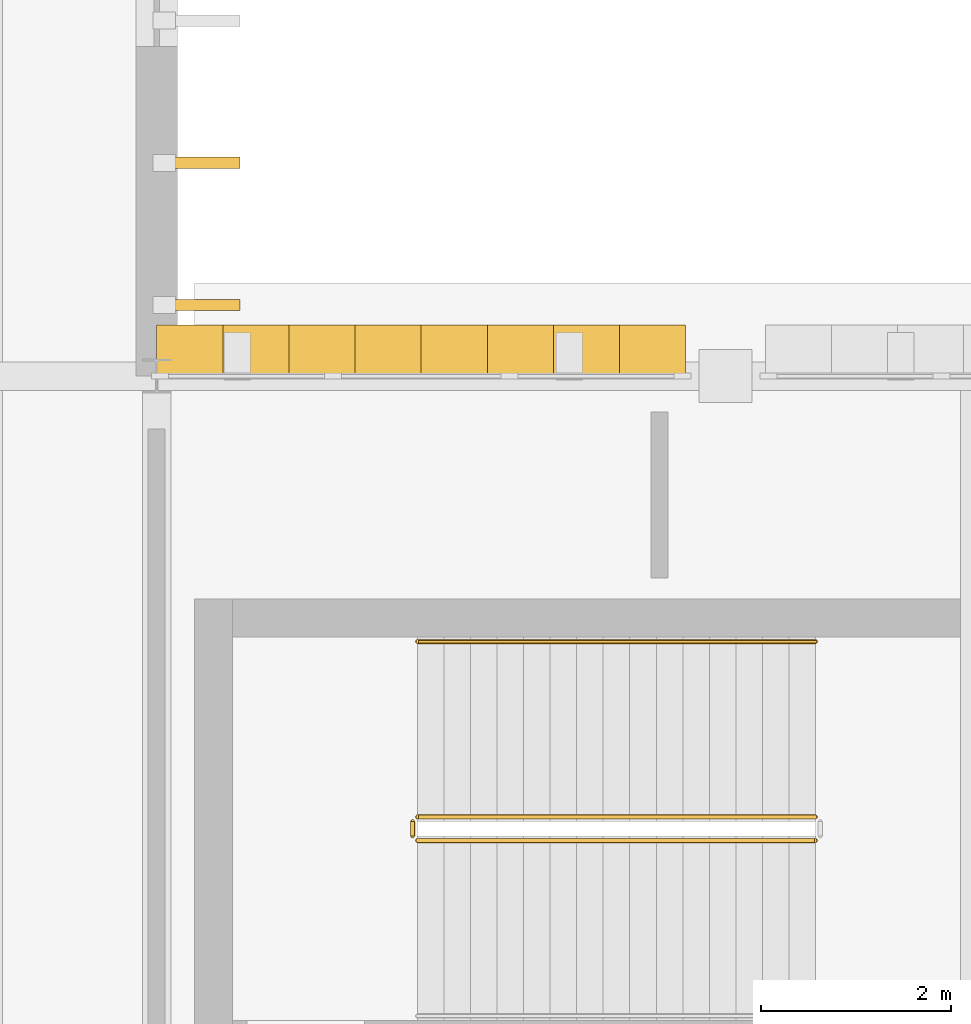
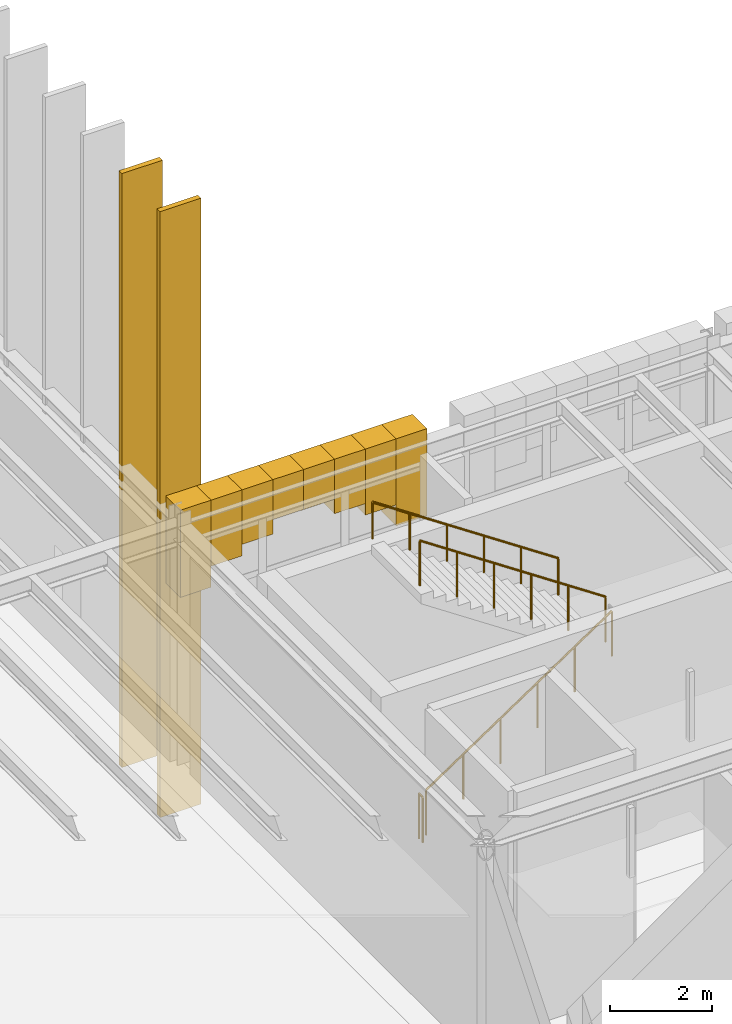
# One storey, part 71 of 83: 10 coverings, 4 railings.
"""IFC4 building model written with IfcOpenShell, lengths in metres."""

from ifc_helpers import new_model, si_unit, direction, frame, origin, origin_2d, place, context, subcontext, project, spatial, polyline, circle, outline, extrude, material, layer, layer_set, type_object, element, save


model = new_model("IFC4")

# Units and contexts
model_context = context("Model", 3, precision=1e-05, world=origin(), true_north=direction((0.0, 1.0)))
body_context = subcontext(model_context, "Body", "Model", "MODEL_VIEW")
ifc_project = project(units=[si_unit("LENGTHUNIT", "METRE"), si_unit("AREAUNIT", "SQUARE_METRE"), si_unit("VOLUMEUNIT", "CUBIC_METRE"), si_unit("PLANEANGLEUNIT", "RADIAN"), si_unit("MASSUNIT", "GRAM", prefix="KILO")], contexts=[model_context])

# Site, building, storey
site_placement = place(None, origin())
site = spatial("IfcSite", under=ifc_project, at=site_placement, CompositionType="ELEMENT")
building_placement = place(site_placement, origin())
building = spatial("IfcBuilding", under=site, at=building_placement, Name="Zlatogorsky Bluff Art Gallery", CompositionType="ELEMENT")
storey_placement = place(building_placement, frame((0.0, 0.0, 10.800048828125)))
storey = spatial("IfcBuildingStorey", under=building, at=storey_placement, Name="L02", CompositionType="ELEMENT", Elevation=10.800048828125)

# Coverings
ifc_material_1 = material(Name="Honed Red Agra-Tone Quartzitic Sandstone", Category="masonry")
ifc_layer_1 = layer(ifc_material_1, 0.1201171875)
ifc_layer_set_1 = layer_set([ifc_layer_1], Name="Carved Sandstone Cladding CLD-02")
covering_type_1 = type_object("IfcCoveringType", Name="Carved Sandstone Cladding CLD-02", PredefinedType="CLADDING", material=ifc_layer_set_1)
covering_1_placement = place(storey_placement, frame((0.0, 0.0, 3.877685546875)))
element("IfcCovering", 1, at=covering_1_placement, inside=storey, type_object=covering_type_1, Name="Pointed Mughal arch voussoir spandrel ARCH-CW-L02-N-10-09-B.1", PredefinedType="CLADDING", context=body_context, shape_type="SweptSolid", body=[
    extrude(outline(polyline([(120.0, 107.969970703125), (120.697509765625, 107.969970703125), (120.697509765625, 108.5400390625), (120.0, 108.5400390625), (120.0, 107.969970703125)])), origin(), (0.0, 0.0, 1.0), 2.082275390625),
])
covering_2_placement = place(storey_placement, frame((0.0, 0.0, 4.379638671875)))
element("IfcCovering", 2, at=covering_2_placement, inside=storey, type_object=covering_type_1, Name="Pointed Mughal arch voussoir spandrel ARCH-CW-L02-N-10-09-B.2", PredefinedType="CLADDING", context=body_context, shape_type="SweptSolid", body=[
    extrude(outline(polyline([(120.697509765625, 107.969970703125), (121.39501953125, 107.969970703125), (121.39501953125, 108.5400390625), (120.697509765625, 108.5400390625), (120.697509765625, 107.969970703125)])), origin(), (0.0, 0.0, 1.0), 1.580322265625),
])
covering_3_placement = place(storey_placement, frame((0.0, 0.0, 4.65625)))
element("IfcCovering", 3, at=covering_3_placement, inside=storey, type_object=covering_type_1, Name="Pointed Mughal arch voussoir spandrel ARCH-CW-L02-N-10-09-B.3", PredefinedType="CLADDING", context=body_context, shape_type="SweptSolid", body=[
    extrude(outline(polyline([(121.39501953125, 107.969970703125), (122.092529296875, 107.969970703125), (122.092529296875, 108.5400390625), (121.39501953125, 108.5400390625), (121.39501953125, 107.969970703125)])), origin(), (0.0, 0.0, 1.0), 1.3037109375),
])
covering_4_placement = place(storey_placement, frame((0.0, 0.0, 5.00439453125)))
element("IfcCovering", 4, at=covering_4_placement, inside=storey, type_object=covering_type_1, Name="Pointed Mughal arch voussoir spandrel ARCH-CW-L02-N-10-09-B.4", PredefinedType="CLADDING", context=body_context, shape_type="SweptSolid", body=[
    extrude(outline(polyline([(122.092529296875, 107.969970703125), (122.7900390625, 107.969970703125), (122.7900390625, 108.5400390625), (122.092529296875, 108.5400390625), (122.092529296875, 107.969970703125)])), origin(), (0.0, 0.0, 1.0), 0.95556640625),
])
covering_5_placement = place(storey_placement, frame((0.0, 0.0, 5.00439453125)))
element("IfcCovering", 5, at=covering_5_placement, inside=storey, type_object=covering_type_1, Name="Pointed Mughal arch voussoir spandrel ARCH-CW-L02-N-10-09-B.5", PredefinedType="CLADDING", context=body_context, shape_type="SweptSolid", body=[
    extrude(outline(polyline([(122.7900390625, 107.969970703125), (123.487548828125, 107.969970703125), (123.487548828125, 108.5400390625), (122.7900390625, 108.5400390625), (122.7900390625, 107.969970703125)])), origin(), (0.0, 0.0, 1.0), 0.95556640625),
])
covering_6_placement = place(storey_placement, frame((0.0, 0.0, 4.65625)))
element("IfcCovering", 6, at=covering_6_placement, inside=storey, type_object=covering_type_1, Name="Pointed Mughal arch voussoir spandrel ARCH-CW-L02-N-10-09-B.6", PredefinedType="CLADDING", context=body_context, shape_type="SweptSolid", body=[
    extrude(outline(polyline([(123.487548828125, 107.969970703125), (124.18505859375, 107.969970703125), (124.18505859375, 108.5400390625), (123.487548828125, 108.5400390625), (123.487548828125, 107.969970703125)])), origin(), (0.0, 0.0, 1.0), 1.3037109375),
])
covering_7_placement = place(storey_placement, frame((0.0, 0.0, 4.379638671875)))
element("IfcCovering", 7, at=covering_7_placement, inside=storey, type_object=covering_type_1, Name="Pointed Mughal arch voussoir spandrel ARCH-CW-L02-N-10-09-B.7", PredefinedType="CLADDING", context=body_context, shape_type="SweptSolid", body=[
    extrude(outline(polyline([(124.18505859375, 107.969970703125), (124.882568359375, 107.969970703125), (124.882568359375, 108.5400390625), (124.18505859375, 108.5400390625), (124.18505859375, 107.969970703125)])), origin(), (0.0, 0.0, 1.0), 1.580322265625),
])
covering_8_placement = place(storey_placement, frame((0.0, 0.0, 3.877685546875)))
element("IfcCovering", 8, at=covering_8_placement, inside=storey, type_object=covering_type_1, Name="Pointed Mughal arch voussoir spandrel ARCH-CW-L02-N-10-09-B.8", PredefinedType="CLADDING", context=body_context, shape_type="SweptSolid", body=[
    extrude(outline(polyline([(124.882568359375, 107.969970703125), (125.580078125, 107.969970703125), (125.580078125, 108.5400390625), (124.882568359375, 108.5400390625), (124.882568359375, 107.969970703125)])), origin(), (0.0, 0.0, 1.0), 2.082275390625),
])

# Railings
ifc_material_2 = material(Name="Architectural Bronze and Laminated Glass", Category="glass")
railing_type_1 = type_object("IfcRailingType", Name="Gallery Guard Rail 1100mm", PredefinedType="GUARDRAIL", material=ifc_material_2)
railing_1_placement = place(storey_placement, frame((122.75, 103.10009765625, 0.1875)))
element("IfcRailing", 9, at=railing_1_placement, inside=storey, type_object=railing_type_1, Name="L02 ST-03 stair guard 1", PredefinedType="GUARDRAIL", context=body_context, shape_type="SweptSolid", body=[
    extrude(circle(Radius=0.02392578125, at=origin_2d()), frame((0.0, 0.0, 1.076171875), z_axis=(0.830904186295, 0.0, 0.556415522067), x_axis=(0.0, 1.0, 0.0)), (0.0, 0.0, 1.0), 5.0546875),
    extrude(circle(Radius=0.02099609375, at=origin_2d()), origin(), (0.0, 0.0, 1.0), 1.052001953125),
    extrude(circle(Radius=0.02099609375, at=origin_2d()), frame((0.840087890625, 0.0, 0.5625)), (0.0, 0.0, 1.0), 1.052001953125),
    extrude(circle(Radius=0.02099609375, at=origin_2d()), frame((1.679931640625, 0.0, 1.125)), (0.0, 0.0, 1.0), 1.052001953125),
    extrude(circle(Radius=0.02099609375, at=origin_2d()), frame((2.52001953125, 0.0, 1.6875)), (0.0, 0.0, 1.0), 1.052001953125),
    extrude(circle(Radius=0.02099609375, at=origin_2d()), frame((3.35986328125, 0.0, 2.25)), (0.0, 0.0, 1.0), 1.052001953125),
    extrude(circle(Radius=0.02099609375, at=origin_2d()), frame((4.199951171875, 0.0, 2.8125)), (0.0, 0.0, 1.0), 1.052001953125),
])
railing_2_placement = place(storey_placement, frame((126.949951171875, 103.35009765625, 3.1875)))
element("IfcRailing", 10, at=railing_2_placement, inside=storey, type_object=railing_type_1, Name="L02 ST-03 stair guard 3", PredefinedType="GUARDRAIL", context=body_context, shape_type="SweptSolid", body=[
    extrude(circle(Radius=0.02392578125, at=origin_2d()), frame((0.0, 0.0, 1.076171875), z_axis=(-0.830904186295, 0.0, 0.556415522067), x_axis=(0.0, -1.0, 0.0)), (0.0, 0.0, 1.0), 5.0546875),
    extrude(circle(Radius=0.02099609375, at=origin_2d()), origin(), (0.0, 0.0, 1.0), 1.052001953125),
    extrude(circle(Radius=0.02099609375, at=origin_2d()), frame((-0.840087890625, 0.0, 0.5625)), (0.0, 0.0, 1.0), 1.052001953125),
    extrude(circle(Radius=0.02099609375, at=origin_2d()), frame((-1.679931640625, 0.0, 1.125)), (0.0, 0.0, 1.0), 1.052001953125),
    extrude(circle(Radius=0.02099609375, at=origin_2d()), frame((-2.52001953125, 0.0, 1.6875)), (0.0, 0.0, 1.0), 1.052001953125),
    extrude(circle(Radius=0.02099609375, at=origin_2d()), frame((-3.35986328125, 0.0, 2.25)), (0.0, 0.0, 1.0), 1.052001953125),
    extrude(circle(Radius=0.02099609375, at=origin_2d()), frame((-4.199951171875, 0.0, 2.8125)), (0.0, 0.0, 1.0), 1.052001953125),
])
railing_3_placement = place(storey_placement, frame((122.699951171875, 103.14990234375, 0.0)))
element("IfcRailing", 11, at=railing_3_placement, inside=storey, type_object=railing_type_1, Name="L02 ST-03 stair guard 4", PredefinedType="GUARDRAIL", context=body_context, shape_type="SweptSolid", body=[
    extrude(circle(Radius=0.02392578125, at=origin_2d()), frame((0.0, 0.0, 1.076171875), z_axis=(0.0, 1.0, 0.0), x_axis=(-1.0, 0.0, 0.0)), (0.0, 0.0, 1.0), 0.150146484375),
    extrude(circle(Radius=0.02099609375, at=origin_2d()), origin(), (0.0, 0.0, 1.0), 1.052001953125),
    extrude(circle(Radius=0.02099609375, at=origin_2d()), frame((0.0, 0.150146484375, 0.0)), (0.0, 0.0, 1.0), 1.052001953125),
])
ifc_material_3 = material(Name="Brushed Stainless Steel", Category="steel")
railing_type_2 = type_object("IfcRailingType", Name="Stair Pitch Handrail 900mm", PredefinedType="HANDRAIL", material=ifc_material_3)
railing_4_placement = place(storey_placement, frame((126.949951171875, 105.199951171875, 3.1875)))
element("IfcRailing", 12, at=railing_4_placement, inside=storey, type_object=railing_type_2, Name="L02 ST-03 stair handrail 2", PredefinedType="HANDRAIL", context=body_context, shape_type="SweptSolid", body=[
    extrude(circle(Radius=0.02392578125, at=origin_2d()), frame((0.0, 0.0, 0.8759765625), z_axis=(-0.830904186295, 0.0, 0.556415522067), x_axis=(0.0, -1.0, 0.0)), (0.0, 0.0, 1.0), 5.0546875),
    extrude(circle(Radius=0.02099609375, at=origin_2d()), origin(), (0.0, 0.0, 1.0), 0.851806640625),
    extrude(circle(Radius=0.02099609375, at=origin_2d()), frame((-0.840087890625, 0.0, 0.5625)), (0.0, 0.0, 1.0), 0.851806640625),
    extrude(circle(Radius=0.02099609375, at=origin_2d()), frame((-1.679931640625, 0.0, 1.125)), (0.0, 0.0, 1.0), 0.851806640625),
    extrude(circle(Radius=0.02099609375, at=origin_2d()), frame((-2.52001953125, 0.0, 1.6875)), (0.0, 0.0, 1.0), 0.851806640625),
    extrude(circle(Radius=0.02099609375, at=origin_2d()), frame((-3.35986328125, 0.0, 2.25)), (0.0, 0.0, 1.0), 0.851806640625),
    extrude(circle(Radius=0.02099609375, at=origin_2d()), frame((-4.199951171875, 0.0, 2.8125)), (0.0, 0.0, 1.0), 0.851806640625),
])

# Coverings
ifc_material_4 = material(Name="Patinated Architectural Bronze Fin", Category="metal")
ifc_layer_2 = layer(ifc_material_4, 0.110107421875)
ifc_layer_set_2 = layer_set([ifc_layer_2], Name="Vertical Gallery Fin FIN-01")
covering_type_2 = type_object("IfcCoveringType", Name="Vertical Gallery Fin FIN-01", PredefinedType="CLADDING", material=ifc_layer_set_2)
covering_9_placement = place(storey_placement, frame((0.0, 0.0, -1.81103515625)))
element("IfcCovering", 13, at=covering_9_placement, inside=storey, type_object=covering_type_2, Name="Lifted gallery vertical bronze fin E.160", PredefinedType="CLADDING", context=body_context, shape_type="SweptSolid", body=[
    extrude(outline(polyline([(119.9599609375, 108.68994140625), (120.8798828125, 108.68994140625), (120.8798828125, 108.81005859375), (119.9599609375, 108.81005859375), (119.9599609375, 108.68994140625)])), origin(), (0.0, 0.0, 1.0), 14.490966796875),
])
covering_10_placement = place(storey_placement, frame((0.0, 0.0, -1.525146484375)))
element("IfcCovering", 14, at=covering_10_placement, inside=storey, type_object=covering_type_2, Name="Lifted gallery vertical bronze fin E.161", PredefinedType="CLADDING", context=body_context, shape_type="SweptSolid", body=[
    extrude(outline(polyline([(119.9599609375, 110.18994140625), (120.8798828125, 110.18994140625), (120.8798828125, 110.31005859375), (119.9599609375, 110.31005859375), (119.9599609375, 110.18994140625)])), origin(), (0.0, 0.0, 1.0), 14.205078125),
])

save(model, "model.ifc")
